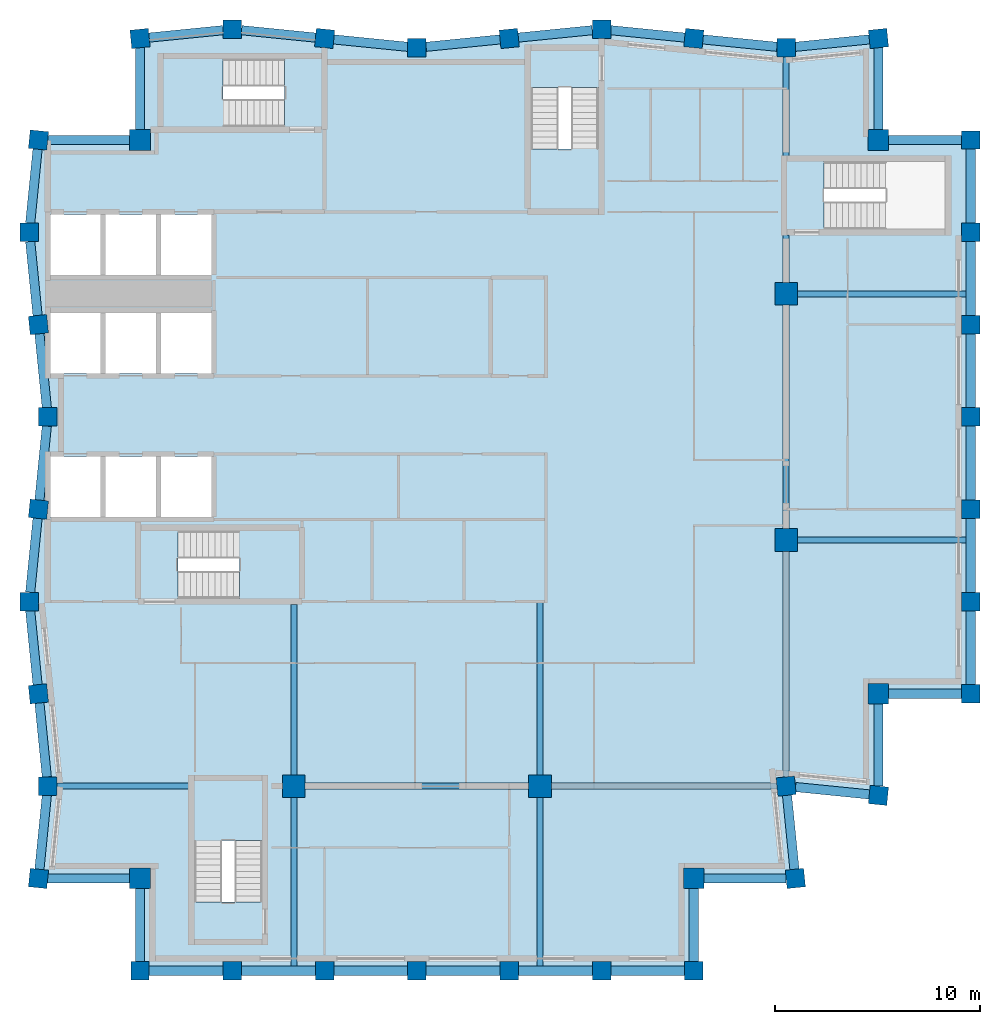
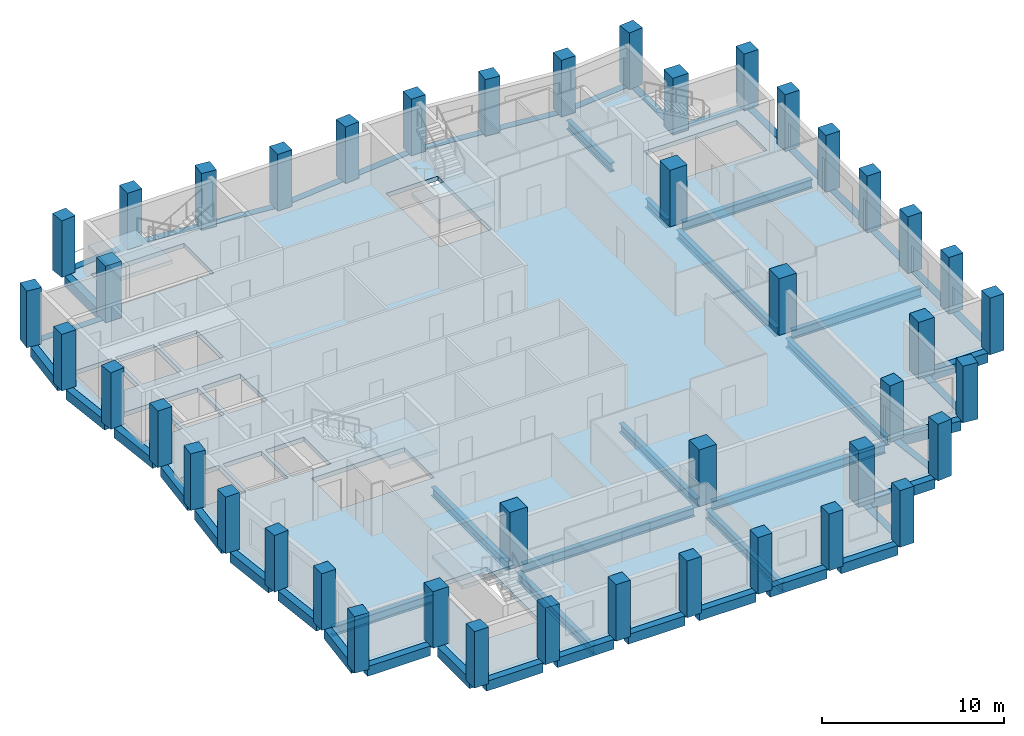
# One storey, part 1 of 7: 53 beams, 44 columns, 5 slabs, 4 elements without a shape of their own.
"""IFC4 building model written with IfcOpenShell, lengths in metres."""

from ifc_helpers import new_model, si_unit, direction, frame, origin, origin_2d, place, context, subcontext, project, spatial, polyline, rectangle, i_section, outline, extrude, material, layer, layer_set, material_profile, profile_set, type_object, element, aggregate, save


model = new_model("IFC4")

# Units and contexts
model_context = context("Model", 3, precision=1e-05, world=origin(), true_north=direction((0.0, 1.0)))
body_context = subcontext(model_context, "Body", "Model", "MODEL_VIEW")
ifc_project = project(units=[si_unit("LENGTHUNIT", "METRE"), si_unit("AREAUNIT", "SQUARE_METRE"), si_unit("VOLUMEUNIT", "CUBIC_METRE"), si_unit("PLANEANGLEUNIT", "RADIAN"), si_unit("MASSUNIT", "GRAM", prefix="KILO")], contexts=[model_context])

# Site, building, storey
site_placement = place(None, origin())
site = spatial("IfcSite", under=ifc_project, at=site_placement, CompositionType="ELEMENT")
building_placement = place(site_placement, origin())
building = spatial("IfcBuilding", under=site, at=building_placement, Name="Brondeck Convention Tower", CompositionType="ELEMENT")
storey_placement = place(building_placement, frame((0.0, 0.0, 263.800048828125)))
storey = spatial("IfcBuildingStorey", under=building, at=storey_placement, Name="L65", CompositionType="ELEMENT", Elevation=263.800048828125)

# Columns
ifc_material_1 = material(Name="Concrete C50/60", Category="concrete")
ifc_material_profile_1 = material_profile(ifc_material_1, rectangle(XDim=1.0, YDim=1.0, at=origin_2d()), Name="Corner column 1000x1000 Concrete C50/60")
ifc_profile_set_1 = profile_set([ifc_material_profile_1], Name="Concrete C50/60")
column_type_1 = type_object("IfcColumnType", Name="Corner column 1000x1000 Concrete C50/60", PredefinedType="COLUMN", material=ifc_profile_set_1)
for number, where, z_axis, x_axis, name in (
    (1, (4.5, 22.5, 0.0), (0.0, 0.0, 1.0), (1.0, 0.0, 0.0), "STR-COL-L65-NC-SWB18"),
    (2, (31.5, 22.5, 0.0), (0.0, 0.0, 1.0), (1.0, 0.0, 0.0), "STR-COL-L65-NC-SEB18"),
    (3, (40.5, 31.5, 0.0), (0.0, 0.0, 1.0), (1.0, 0.0, 0.0), "STR-COL-L65-NC-SEA45"),
    (4, (40.5, 58.5, 0.0), (0.0, 0.0, 1.0), (1.0, 0.0, 0.0), "STR-COL-L65-NC-NEA45"),
    (5, (4.5, 58.5, 0.0), (0.0, 0.0, 1.0), (1.0, 0.0, 0.0), "STR-COL-L65-NC-NW"),
):
    element("IfcColumn", number, at=place(storey_placement, frame(where, z_axis=z_axis, x_axis=x_axis)), inside=storey, type_object=column_type_1, Name=name, PredefinedType="COLUMN", context=body_context, shape_type="SweptSolid", body=[
        extrude(rectangle(XDim=1.0, YDim=1.0, at=origin_2d()), origin(), (0.0, 0.0, 1.0), 3.800048828125),
    ])
ifc_material_profile_2 = material_profile(ifc_material_1, rectangle(XDim=1.10009765625, YDim=1.10009765625, at=origin_2d()), Name="Interior column 1100x1100 Concrete C50/60")
ifc_profile_set_2 = profile_set([ifc_material_profile_2], Name="Concrete C50/60")
column_type_2 = type_object("IfcColumnType", Name="Interior column 1100x1100 Concrete C50/60", PredefinedType="COLUMN", material=ifc_profile_set_2)
for number, where, z_axis, x_axis, name in (
    (6, (12.0, 27.0, 0.0), (0.0, 0.0, 1.0), (1.0, 0.0, 0.0), "STR-COL-L65-IC-03"),
    (7, (24.0, 27.0, 0.0), (0.0, 0.0, 1.0), (1.0, 0.0, 0.0), "STR-COL-L65-IC-06"),
    (8, (36.0, 39.0, 0.0), (0.0, 0.0, 1.0), (1.0, 0.0, 0.0), "STR-COL-L65-IC-07"),
    (9, (36.0, 51.0, 0.0), (0.0, 0.0, 1.0), (1.0, 0.0, 0.0), "STR-COL-L65-IC-08"),
):
    element("IfcColumn", number, at=place(storey_placement, frame(where, z_axis=z_axis, x_axis=x_axis)), inside=storey, type_object=column_type_2, Name=name, PredefinedType="COLUMN", context=body_context, shape_type="SweptSolid", body=[
        extrude(rectangle(XDim=1.10009765625, YDim=1.10009765625, at=origin_2d()), origin(), (0.0, 0.0, 1.0), 3.800048828125),
    ])
ifc_material_profile_3 = material_profile(ifc_material_1, rectangle(XDim=0.89990234375, YDim=0.89990234375, at=origin_2d()), Name="Perimeter pier 900x900 Concrete C50/60")
ifc_profile_set_3 = profile_set([ifc_material_profile_3], Name="Concrete C50/60")
column_type_3 = type_object("IfcColumnType", Name="Perimeter pier 900x900 Concrete C50/60", PredefinedType="COLUMN", material=ifc_profile_set_3)
for number, where, z_axis, x_axis, name in (
    (10, (4.5, 18.0, 0.0), (0.0, 0.0, 1.0), (1.0, 0.0, 0.0), "STR-COL-L65-PC-B-S18-01"),
    (11, (9.0, 18.0, 0.0), (0.0, 0.0, 1.0), (1.0, 0.0, 0.0), "STR-COL-L65-PC-B-S18-02"),
    (12, (13.5, 18.0, 0.0), (0.0, 0.0, 1.0), (1.0, 0.0, 0.0), "STR-COL-L65-PC-B-S18-03"),
    (13, (18.0, 18.0, 0.0), (0.0, 0.0, 1.0), (1.0, 0.0, 0.0), "STR-COL-L65-PC-B-S18-04"),
    (14, (22.5, 18.0, 0.0), (0.0, 0.0, 1.0), (1.0, 0.0, 0.0), "STR-COL-L65-PC-B-S18-05"),
    (15, (27.0, 18.0, 0.0), (0.0, 0.0, 1.0), (1.0, 0.0, 0.0), "STR-COL-L65-PC-B-S18-06"),
    (16, (31.5, 18.0, 0.0), (0.0, 0.0, 1.0), (1.0, 0.0, 0.0), "STR-COL-L65-PC-B-S18-07"),
    (17, (36.449951171875, 22.5, 0.0), (0.0, 0.0, 1.0), (-0.0995038382, 0.995037178292, 0.0), "STR-COL-L65-PC-B-E-01"),
    (18, (36.0, 27.0, 0.0), (0.0, 0.0, 1.0), (-0.0995038382, 0.995037178292, 0.0), "STR-COL-L65-PC-B-E-00"),
    (19, (40.5, 26.550048828125, 0.0), (0.0, 0.0, 1.0), (0.995037178292, -0.0995038382, 0.0), "STR-COL-L65-PC-A-S-01"),
    (20, (45.0, 31.5, 0.0), (0.0, 0.0, 1.0), (0.0, 1.0, 0.0), "STR-COL-L65-PC-A-E45-01"),
    (21, (45.0, 36.0, 0.0), (0.0, 0.0, 1.0), (0.0, 1.0, 0.0), "STR-COL-L65-PC-A-E45-02"),
    (22, (45.0, 40.5, 0.0), (0.0, 0.0, 1.0), (0.0, 1.0, 0.0), "STR-COL-L65-PC-A-E45-03"),
    (23, (45.0, 45.0, 0.0), (0.0, 0.0, 1.0), (0.0, 1.0, 0.0), "STR-COL-L65-PC-A-E45-04"),
    (24, (45.0, 49.5, 0.0), (0.0, 0.0, 1.0), (0.0, 1.0, 0.0), "STR-COL-L65-PC-A-E45-05"),
    (25, (45.0, 54.0, 0.0), (0.0, 0.0, 1.0), (0.0, 1.0, 0.0), "STR-COL-L65-PC-A-E45-06"),
    (26, (45.0, 58.5, 0.0), (0.0, 0.0, 1.0), (0.0, 1.0, 0.0), "STR-COL-L65-PC-A-E45-07"),
    (27, (40.5, 63.449951171875, 0.0), (0.0, 0.0, 1.0), (-0.995037178292, -0.0995038382, 0.0), "STR-COL-L65-PC-A-N-09"),
    (28, (36.0, 63.0, 0.0), (0.0, 0.0, 1.0), (-1.0, 0.0, 0.0), "STR-COL-L65-PC-A-N-08"),
    (29, (31.5, 63.449951171875, 0.0), (0.0, 0.0, 1.0), (-0.995037178292, 0.0995038382, 0.0), "STR-COL-L65-PC-A-N-07"),
    (30, (27.0, 63.89990234375, 0.0), (0.0, 0.0, 1.0), (-1.0, 0.0, 0.0), "STR-COL-L65-PC-A-N-06"),
    (31, (22.5, 63.449951171875, 0.0), (0.0, 0.0, 1.0), (-0.995037178292, -0.0995038382, 0.0), "STR-COL-L65-PC-A-N-05"),
    (32, (18.0, 63.0, 0.0), (0.0, 0.0, 1.0), (-1.0, 0.0, 0.0), "STR-COL-L65-PC-A-N-04"),
    (33, (13.5, 63.449951171875, 0.0), (0.0, 0.0, 1.0), (-0.995037178292, 0.0995038382, 0.0), "STR-COL-L65-PC-A-N-03"),
    (34, (9.0, 63.89990234375, 0.0), (0.0, 0.0, 1.0), (-1.0, 0.0, 0.0), "STR-COL-L65-PC-A-N-02"),
    (35, (4.5, 63.449951171875, 0.0), (0.0, 0.0, 1.0), (-0.995037178292, -0.0995038382, 0.0), "STR-COL-L65-PC-A-N-01"),
    (36, (-0.449951171875, 58.5, 0.0), (0.0, 0.0, 1.0), (-0.0995038382, -0.995037178292, 0.0), "STR-COL-L65-PC-B-W-01"),
    (37, (-0.89990234375, 54.0, 0.0), (0.0, 0.0, 1.0), (0.0, -1.0, 0.0), "STR-COL-L65-PC-B-W-02"),
    (38, (-0.449951171875, 49.5, 0.0), (0.0, 0.0, 1.0), (0.0995038382, -0.995037178292, 0.0), "STR-COL-L65-PC-B-W-03"),
    (39, (0.0, 45.0, 0.0), (0.0, 0.0, 1.0), (0.0, -1.0, 0.0), "STR-COL-L65-PC-B-W-04"),
    (40, (-0.449951171875, 40.5, 0.0), (0.0, 0.0, 1.0), (-0.0995038382, -0.995037178292, 0.0), "STR-COL-L65-PC-B-W-05"),
    (41, (-0.89990234375, 36.0, 0.0), (0.0, 0.0, 1.0), (0.0, -1.0, 0.0), "STR-COL-L65-PC-B-W-06"),
    (42, (-0.449951171875, 31.5, 0.0), (0.0, 0.0, 1.0), (0.0995038382, -0.995037178292, 0.0), "STR-COL-L65-PC-B-W-07"),
    (43, (0.0, 27.0, 0.0), (0.0, 0.0, 1.0), (0.0, -1.0, 0.0), "STR-COL-L65-PC-B-W-08"),
    (44, (-0.449951171875, 22.5, 0.0), (0.0, 0.0, 1.0), (-0.0995038382, -0.995037178292, 0.0), "STR-COL-L65-PC-B-W-09"),
):
    element("IfcColumn", number, at=place(storey_placement, frame(where, z_axis=z_axis, x_axis=x_axis)), inside=storey, type_object=column_type_3, Name=name, PredefinedType="COLUMN", context=body_context, shape_type="SweptSolid", body=[
        extrude(rectangle(XDim=0.89990234375, YDim=0.89990234375, at=origin_2d()), origin(), (0.0, 0.0, 1.0), 3.800048828125),
    ])

# Beams
ifc_material_2 = material(Name="Steel S355", Category="steel")
ifc_material_profile_4 = material_profile(ifc_material_2, i_section(OverallWidth=0.300048828125, OverallDepth=0.60009765625, WebThickness=0.015380859375, FlangeThickness=0.030029296875, FilletRadius=0.027099609375, at=origin_2d()), Name="HEB 600")
ifc_profile_set_4 = profile_set([ifc_material_profile_4], Name="Steel S355")
beam_type_1 = type_object("IfcBeamType", Name="Girder HEB 600", PredefinedType="BEAM", material=ifc_profile_set_4)
for number, where, z_axis, x_axis, name in (
    (45, (36.550048828125, 39.0, -0.60009765625), (1.0, 0.0, 0.0), (0.0, 1.0, 0.0), "STR-GR-L65-001"),
    (46, (36.550048828125, 51.0, -0.60009765625), (1.0, 0.0, 0.0), (0.0, 1.0, 0.0), "STR-GR-L65-002"),
):
    element("IfcBeam", number, at=place(storey_placement, frame(where, z_axis=z_axis, x_axis=x_axis)), inside=storey, type_object=beam_type_1, Name=name, PredefinedType="BEAM", context=body_context, shape_type="SweptSolid", body=[
        extrude(i_section(OverallWidth=0.300048828125, OverallDepth=0.60009765625, WebThickness=0.015380859375, FlangeThickness=0.030029296875, FilletRadius=0.027099609375, at=origin_2d()), origin(), (0.0, 0.0, 1.0), 8.224853515625),
    ])
beam_1_placement = place(storey_placement, frame((36.0, 27.4521484375, -0.60009765625), z_axis=(0.0, 1.0, 0.0), x_axis=(-1.0, 0.0, 0.0)))
element("IfcBeam", 47, at=beam_1_placement, inside=storey, type_object=beam_type_1, Name="STR-GR-L65-003", PredefinedType="BEAM", context=body_context, shape_type="SweptSolid", body=[
    extrude(i_section(OverallWidth=0.300048828125, OverallDepth=0.60009765625, WebThickness=0.015380859375, FlangeThickness=0.030029296875, FilletRadius=0.027099609375, at=origin_2d()), origin(), (0.0, 0.0, 1.0), 10.997802734375),
])
beam_2_placement = place(storey_placement, frame((36.0, 39.550048828125, -0.60009765625), z_axis=(0.0, 1.0, 0.0), x_axis=(-1.0, 0.0, 0.0)))
element("IfcBeam", 48, at=beam_2_placement, inside=storey, type_object=beam_type_1, Name="STR-GR-L65-004", PredefinedType="BEAM", context=body_context, shape_type="SweptSolid", body=[
    extrude(i_section(OverallWidth=0.300048828125, OverallDepth=0.60009765625, WebThickness=0.015380859375, FlangeThickness=0.030029296875, FilletRadius=0.027099609375, at=origin_2d()), origin(), (0.0, 0.0, 1.0), 10.89990234375),
])
beam_3_placement = place(storey_placement, frame((36.0, 51.550048828125, -0.60009765625), z_axis=(0.0, 1.0, 0.0), x_axis=(-1.0, 0.0, 0.0)))
element("IfcBeam", 49, at=beam_3_placement, inside=storey, type_object=beam_type_1, Name="STR-GR-L65-005", PredefinedType="BEAM", context=body_context, shape_type="SweptSolid", body=[
    extrude(i_section(OverallWidth=0.300048828125, OverallDepth=0.60009765625, WebThickness=0.015380859375, FlangeThickness=0.030029296875, FilletRadius=0.027099609375, at=origin_2d()), origin(), (0.0, 0.0, 1.0), 2.329833984375),
])
beam_4_placement = place(storey_placement, frame((36.0, 57.719970703125, -0.60009765625), z_axis=(0.0, 1.0, 0.0), x_axis=(-1.0, 0.0, 0.0)))
element("IfcBeam", 50, at=beam_4_placement, inside=storey, type_object=beam_type_1, Name="STR-GR-L65-006", PredefinedType="BEAM", context=body_context, shape_type="SweptSolid", body=[
    extrude(i_section(OverallWidth=0.300048828125, OverallDepth=0.60009765625, WebThickness=0.015380859375, FlangeThickness=0.030029296875, FilletRadius=0.027099609375, at=origin_2d()), origin(), (0.0, 0.0, 1.0), 4.830078125),
])
beam_5_placement = place(storey_placement, frame((12.0, 35.85009765625, -0.60009765625), z_axis=(0.0, -1.0, 0.0), x_axis=(1.0, 0.0, 0.0)))
element("IfcBeam", 51, at=beam_5_placement, inside=storey, type_object=beam_type_1, Name="STR-GR-L65-007", PredefinedType="BEAM", context=body_context, shape_type="SweptSolid", body=[
    extrude(i_section(OverallWidth=0.300048828125, OverallDepth=0.60009765625, WebThickness=0.015380859375, FlangeThickness=0.030029296875, FilletRadius=0.027099609375, at=origin_2d()), origin(), (0.0, 0.0, 1.0), 8.300048828125),
])
beam_6_placement = place(storey_placement, frame((12.0, 26.449951171875, -0.60009765625), z_axis=(0.0, -1.0, 0.0), x_axis=(1.0, 0.0, 0.0)))
element("IfcBeam", 52, at=beam_6_placement, inside=storey, type_object=beam_type_1, Name="STR-GR-L65-008", PredefinedType="BEAM", context=body_context, shape_type="SweptSolid", body=[
    extrude(i_section(OverallWidth=0.300048828125, OverallDepth=0.60009765625, WebThickness=0.015380859375, FlangeThickness=0.030029296875, FilletRadius=0.027099609375, at=origin_2d()), origin(), (0.0, 0.0, 1.0), 8.224853515625),
])
beam_7_placement = place(storey_placement, frame((24.0, 35.955078125, -0.60009765625), z_axis=(0.0, -1.0, 0.0), x_axis=(1.0, 0.0, 0.0)))
element("IfcBeam", 53, at=beam_7_placement, inside=storey, type_object=beam_type_1, Name="STR-GR-L65-009", PredefinedType="BEAM", context=body_context, shape_type="SweptSolid", body=[
    extrude(i_section(OverallWidth=0.300048828125, OverallDepth=0.60009765625, WebThickness=0.015380859375, FlangeThickness=0.030029296875, FilletRadius=0.027099609375, at=origin_2d()), origin(), (0.0, 0.0, 1.0), 8.405029296875),
])
beam_8_placement = place(storey_placement, frame((24.0, 26.449951171875, -0.60009765625), z_axis=(0.0, -1.0, 0.0), x_axis=(1.0, 0.0, 0.0)))
element("IfcBeam", 54, at=beam_8_placement, inside=storey, type_object=beam_type_1, Name="STR-GR-L65-010", PredefinedType="BEAM", context=body_context, shape_type="SweptSolid", body=[
    extrude(i_section(OverallWidth=0.300048828125, OverallDepth=0.60009765625, WebThickness=0.015380859375, FlangeThickness=0.030029296875, FilletRadius=0.027099609375, at=origin_2d()), origin(), (0.0, 0.0, 1.0), 8.224853515625),
])
beam_9_placement = place(storey_placement, frame((0.449951171875, 27.0, -0.60009765625), z_axis=(1.0, 0.0, 0.0), x_axis=(0.0, 1.0, 0.0)))
element("IfcBeam", 55, at=beam_9_placement, inside=storey, type_object=beam_type_1, Name="STR-GR-L65-011", PredefinedType="BEAM", context=body_context, shape_type="SweptSolid", body=[
    extrude(i_section(OverallWidth=0.300048828125, OverallDepth=0.60009765625, WebThickness=0.015380859375, FlangeThickness=0.030029296875, FilletRadius=0.027099609375, at=origin_2d()), origin(), (0.0, 0.0, 1.0), 6.429931640625),
])
beam_10_placement = place(storey_placement, frame((12.550048828125, 27.0, -0.60009765625), z_axis=(1.0, 0.0, 0.0), x_axis=(0.0, 1.0, 0.0)))
element("IfcBeam", 56, at=beam_10_placement, inside=storey, type_object=beam_type_1, Name="STR-GR-L65-012", PredefinedType="BEAM", context=body_context, shape_type="SweptSolid", body=[
    extrude(i_section(OverallWidth=0.300048828125, OverallDepth=0.60009765625, WebThickness=0.015380859375, FlangeThickness=0.030029296875, FilletRadius=0.027099609375, at=origin_2d()), origin(), (0.0, 0.0, 1.0), 10.89990234375),
])
beam_11_placement = place(storey_placement, frame((24.550048828125, 27.0, -0.60009765625), z_axis=(1.0, 0.0, 0.0), x_axis=(0.0, 1.0, 0.0)))
element("IfcBeam", 57, at=beam_11_placement, inside=storey, type_object=beam_type_1, Name="STR-GR-L65-013", PredefinedType="BEAM", context=body_context, shape_type="SweptSolid", body=[
    extrude(i_section(OverallWidth=0.300048828125, OverallDepth=0.60009765625, WebThickness=0.015380859375, FlangeThickness=0.030029296875, FilletRadius=0.027099609375, at=origin_2d()), origin(), (0.0, 0.0, 1.0), 10.997802734375),
])
ifc_material_profile_5 = material_profile(ifc_material_1, rectangle(XDim=0.449951171875, YDim=0.64990234375, at=origin_2d()), Name="Precast spandrel 450x650 Concrete C50/60")
ifc_profile_set_5 = profile_set([ifc_material_profile_5], Name="Concrete C50/60")
beam_type_2 = type_object("IfcBeamType", Name="Precast spandrel 450x650 Concrete C50/60", PredefinedType="SPANDREL", material=ifc_profile_set_5)
for number, where, z_axis, x_axis, name in (
    (58, (4.949951171875, 18.0, -0.324951171875), (1.0, 0.0, 0.0), (0.0, 1.0, 0.0), "STR-SP-L65-001"),
    (59, (9.449951171875, 18.0, -0.324951171875), (1.0, 0.0, 0.0), (0.0, 1.0, 0.0), "STR-SP-L65-002"),
    (60, (13.949951171875, 18.0, -0.324951171875), (1.0, 0.0, 0.0), (0.0, 1.0, 0.0), "STR-SP-L65-003"),
    (61, (18.449951171875, 18.0, -0.324951171875), (1.0, 0.0, 0.0), (0.0, 1.0, 0.0), "STR-SP-L65-004"),
    (62, (22.949951171875, 18.0, -0.324951171875), (1.0, 0.0, 0.0), (0.0, 1.0, 0.0), "STR-SP-L65-005"),
    (63, (27.449951171875, 18.0, -0.324951171875), (1.0, 0.0, 0.0), (0.0, 1.0, 0.0), "STR-SP-L65-006"),
):
    element("IfcBeam", number, at=place(storey_placement, frame(where, z_axis=z_axis, x_axis=x_axis)), inside=storey, type_object=beam_type_2, Name=name, PredefinedType="SPANDREL", context=body_context, shape_type="SweptSolid", body=[
        extrude(rectangle(XDim=0.449951171875, YDim=0.64990234375, at=origin_2d()), origin(), (0.0, 0.0, 1.0), 3.60009765625),
    ])
beam_12_placement = place(storey_placement, frame((31.5, 18.449951171875, -0.324951171875), z_axis=(0.0, 1.0, 0.0), x_axis=(-1.0, 0.0, 0.0)))
element("IfcBeam", 64, at=beam_12_placement, inside=storey, type_object=beam_type_2, Name="STR-SP-L65-007", PredefinedType="SPANDREL", context=body_context, shape_type="SweptSolid", body=[
    extrude(rectangle(XDim=0.449951171875, YDim=0.64990234375, at=origin_2d()), origin(), (0.0, 0.0, 1.0), 3.550048828125),
])
beam_13_placement = place(storey_placement, frame((32.0, 22.5, -0.324951171875), z_axis=(1.0, 0.0, 0.0), x_axis=(0.0, 1.0, 0.0)))
element("IfcBeam", 65, at=beam_13_placement, inside=storey, type_object=beam_type_2, Name="STR-SP-L65-008", PredefinedType="SPANDREL", context=body_context, shape_type="SweptSolid", body=[
    extrude(rectangle(XDim=0.449951171875, YDim=0.64990234375, at=origin_2d()), origin(), (0.0, 0.0, 1.0), 3.997802734375),
])
beam_14_placement = place(storey_placement, frame((36.4052734375, 22.94775390625, -0.324951171875), z_axis=(-0.099543756114, 0.995033185687, 0.0), x_axis=(-0.995033185687, -0.099543756114, 0.0)))
element("IfcBeam", 66, at=beam_14_placement, inside=storey, type_object=beam_type_2, Name="STR-SP-L65-009", PredefinedType="SPANDREL", context=body_context, shape_type="SweptSolid", body=[
    extrude(rectangle(XDim=0.449951171875, YDim=0.64990234375, at=origin_2d()), origin(), (0.0, 0.0, 1.0), 3.62255859375),
])
beam_15_placement = place(storey_placement, frame((36.456787109375, 26.954345703125, -0.324951171875), z_axis=(0.995035183115, -0.099523787922, 0.0), x_axis=(0.099523787922, 0.995035183115, 0.0)))
element("IfcBeam", 67, at=beam_15_placement, inside=storey, type_object=beam_type_2, Name="STR-SP-L65-010", PredefinedType="SPANDREL", context=body_context, shape_type="SweptSolid", body=[
    extrude(rectangle(XDim=0.449951171875, YDim=0.64990234375, at=origin_2d()), origin(), (0.0, 0.0, 1.0), 3.61328125),
])
beam_16_placement = place(storey_placement, frame((40.5, 27.002197265625, -0.324951171875), z_axis=(0.0, 1.0, 0.0), x_axis=(-1.0, 0.0, 0.0)))
element("IfcBeam", 68, at=beam_16_placement, inside=storey, type_object=beam_type_2, Name="STR-SP-L65-011", PredefinedType="SPANDREL", context=body_context, shape_type="SweptSolid", body=[
    extrude(rectangle(XDim=0.449951171875, YDim=0.64990234375, at=origin_2d()), origin(), (0.0, 0.0, 1.0), 3.997802734375),
])
beam_17_placement = place(storey_placement, frame((41.0, 31.5, -0.324951171875), z_axis=(1.0, 0.0, 0.0), x_axis=(0.0, 1.0, 0.0)))
element("IfcBeam", 69, at=beam_17_placement, inside=storey, type_object=beam_type_2, Name="STR-SP-L65-012", PredefinedType="SPANDREL", context=body_context, shape_type="SweptSolid", body=[
    extrude(rectangle(XDim=0.449951171875, YDim=0.64990234375, at=origin_2d()), origin(), (0.0, 0.0, 1.0), 3.550048828125),
])
for number, where, z_axis, x_axis, name in (
    (70, (45.0, 31.949951171875, -0.324951171875), (0.0, 1.0, 0.0), (-1.0, 0.0, 0.0), "STR-SP-L65-013"),
    (71, (45.0, 36.449951171875, -0.324951171875), (0.0, 1.0, 0.0), (-1.0, 0.0, 0.0), "STR-SP-L65-014"),
    (72, (45.0, 40.949951171875, -0.324951171875), (0.0, 1.0, 0.0), (-1.0, 0.0, 0.0), "STR-SP-L65-015"),
    (73, (45.0, 45.449951171875, -0.324951171875), (0.0, 1.0, 0.0), (-1.0, 0.0, 0.0), "STR-SP-L65-016"),
    (74, (45.0, 49.949951171875, -0.324951171875), (0.0, 1.0, 0.0), (-1.0, 0.0, 0.0), "STR-SP-L65-017"),
    (75, (45.0, 54.449951171875, -0.324951171875), (0.0, 1.0, 0.0), (-1.0, 0.0, 0.0), "STR-SP-L65-018"),
):
    element("IfcBeam", number, at=place(storey_placement, frame(where, z_axis=z_axis, x_axis=x_axis)), inside=storey, type_object=beam_type_2, Name=name, PredefinedType="SPANDREL", context=body_context, shape_type="SweptSolid", body=[
        extrude(rectangle(XDim=0.449951171875, YDim=0.64990234375, at=origin_2d()), origin(), (0.0, 0.0, 1.0), 3.60009765625),
    ])
beam_18_placement = place(storey_placement, frame((44.550048828125, 58.5, -0.324951171875), z_axis=(-1.0, 0.0, 0.0), x_axis=(0.0, -1.0, 0.0)))
element("IfcBeam", 76, at=beam_18_placement, inside=storey, type_object=beam_type_2, Name="STR-SP-L65-019", PredefinedType="SPANDREL", context=body_context, shape_type="SweptSolid", body=[
    extrude(rectangle(XDim=0.449951171875, YDim=0.64990234375, at=origin_2d()), origin(), (0.0, 0.0, 1.0), 3.550048828125),
])
beam_19_placement = place(storey_placement, frame((40.5, 59.0, -0.324951171875), z_axis=(0.0, 1.0, 0.0), x_axis=(-1.0, 0.0, 0.0)))
element("IfcBeam", 77, at=beam_19_placement, inside=storey, type_object=beam_type_2, Name="STR-SP-L65-020", PredefinedType="SPANDREL", context=body_context, shape_type="SweptSolid", body=[
    extrude(rectangle(XDim=0.449951171875, YDim=0.64990234375, at=origin_2d()), origin(), (0.0, 0.0, 1.0), 3.997802734375),
])
for number, where, z_axis, x_axis, name in (
    (78, (40.05224609375, 63.4052734375, -0.324951171875), (-0.995033851182, -0.099537103649, 0.0), (0.099537103649, -0.995033851182, 0.0), "STR-SP-L65-021"),
    (79, (35.550048828125, 63.044921875, -0.324951171875), (-0.995033851182, 0.099537103649, 0.0), (-0.099537103649, -0.995033851182, 0.0), "STR-SP-L65-022"),
    (80, (31.05224609375, 63.494873046875, -0.324951171875), (-0.995040528141, 0.099470334057, 0.0), (-0.099470334057, -0.995040528141, 0.0), "STR-SP-L65-023"),
    (81, (26.550048828125, 63.85498046875, -0.324951171875), (-0.995040528141, -0.099470334057, 0.0), (0.099470334057, -0.995040528141, 0.0), "STR-SP-L65-024"),
    (82, (22.05224609375, 63.4052734375, -0.324951171875), (-0.995033851182, -0.099537103649, 0.0), (0.099537103649, -0.995033851182, 0.0), "STR-SP-L65-025"),
    (83, (17.550048828125, 63.044921875, -0.324951171875), (-0.995033851182, 0.099537103649, 0.0), (-0.099537103649, -0.995033851182, 0.0), "STR-SP-L65-026"),
    (84, (13.05224609375, 63.494873046875, -0.324951171875), (-0.995040528141, 0.099470334057, 0.0), (-0.099470334057, -0.995040528141, 0.0), "STR-SP-L65-027"),
    (85, (8.550048828125, 63.85498046875, -0.324951171875), (-0.995040528141, -0.099470334057, 0.0), (0.099470334057, -0.995040528141, 0.0), "STR-SP-L65-028"),
):
    element("IfcBeam", number, at=place(storey_placement, frame(where, z_axis=z_axis, x_axis=x_axis)), inside=storey, type_object=beam_type_2, Name=name, PredefinedType="SPANDREL", context=body_context, shape_type="SweptSolid", body=[
        extrude(rectangle(XDim=0.449951171875, YDim=0.64990234375, at=origin_2d()), origin(), (0.0, 0.0, 1.0), 3.620361328125),
    ])
for number, where, z_axis, x_axis, name in (
    (86, (4.5, 62.997802734375, -0.324951171875), (0.0, -1.0, 0.0), (1.0, 0.0, 0.0), "STR-SP-L65-029"),
    (87, (4.0, 58.5, -0.324951171875), (-1.0, 0.0, 0.0), (0.0, -1.0, 0.0), "STR-SP-L65-030"),
):
    element("IfcBeam", number, at=place(storey_placement, frame(where, z_axis=z_axis, x_axis=x_axis)), inside=storey, type_object=beam_type_2, Name=name, PredefinedType="SPANDREL", context=body_context, shape_type="SweptSolid", body=[
        extrude(rectangle(XDim=0.449951171875, YDim=0.64990234375, at=origin_2d()), origin(), (0.0, 0.0, 1.0), 3.997802734375),
    ])
for number, where, z_axis, x_axis, name in (
    (88, (-0.494873046875, 58.05224609375, -0.324951171875), (-0.099470334057, -0.995040528141, 0.0), (0.995040528141, -0.099470334057, 0.0), "STR-SP-L65-031"),
    (89, (-0.85498046875, 53.550048828125, -0.324951171875), (0.099470334057, -0.995040528141, 0.0), (0.995040528141, 0.099470334057, 0.0), "STR-SP-L65-032"),
    (90, (-0.4052734375, 49.05224609375, -0.324951171875), (0.099537103649, -0.995033851182, 0.0), (0.995033851182, 0.099537103649, 0.0), "STR-SP-L65-033"),
    (91, (-0.044921875, 44.550048828125, -0.324951171875), (-0.099537103649, -0.995033851182, 0.0), (0.995033851182, -0.099537103649, 0.0), "STR-SP-L65-034"),
    (92, (-0.494873046875, 40.05224609375, -0.324951171875), (-0.099470334057, -0.995040528141, 0.0), (0.995040528141, -0.099470334057, 0.0), "STR-SP-L65-035"),
    (93, (-0.85498046875, 35.550048828125, -0.324951171875), (0.099470334057, -0.995040528141, 0.0), (0.995040528141, 0.099470334057, 0.0), "STR-SP-L65-036"),
    (94, (-0.4052734375, 31.05224609375, -0.324951171875), (0.099537103649, -0.995033851182, 0.0), (0.995033851182, 0.099537103649, 0.0), "STR-SP-L65-037"),
    (95, (-0.044921875, 26.550048828125, -0.324951171875), (-0.099537103649, -0.995033851182, 0.0), (0.995033851182, -0.099537103649, 0.0), "STR-SP-L65-038"),
):
    element("IfcBeam", number, at=place(storey_placement, frame(where, z_axis=z_axis, x_axis=x_axis)), inside=storey, type_object=beam_type_2, Name=name, PredefinedType="SPANDREL", context=body_context, shape_type="SweptSolid", body=[
        extrude(rectangle(XDim=0.449951171875, YDim=0.64990234375, at=origin_2d()), origin(), (0.0, 0.0, 1.0), 3.620361328125),
    ])
beam_20_placement = place(storey_placement, frame((0.002197265625, 22.5, -0.324951171875), z_axis=(1.0, 0.0, 0.0), x_axis=(0.0, 1.0, 0.0)))
element("IfcBeam", 96, at=beam_20_placement, inside=storey, type_object=beam_type_2, Name="STR-SP-L65-039", PredefinedType="SPANDREL", context=body_context, shape_type="SweptSolid", body=[
    extrude(rectangle(XDim=0.449951171875, YDim=0.64990234375, at=origin_2d()), origin(), (0.0, 0.0, 1.0), 3.997802734375),
])
beam_21_placement = place(storey_placement, frame((4.5, 22.0, -0.324951171875), z_axis=(0.0, -1.0, 0.0), x_axis=(1.0, 0.0, 0.0)))
element("IfcBeam", 97, at=beam_21_placement, inside=storey, type_object=beam_type_2, Name="STR-SP-L65-040", PredefinedType="SPANDREL", context=body_context, shape_type="SweptSolid", body=[
    extrude(rectangle(XDim=0.449951171875, YDim=0.64990234375, at=origin_2d()), origin(), (0.0, 0.0, 1.0), 3.550048828125),
])

# Slab
ifc_material_3 = material(Name="Concrete C35/45", Category="concrete")
ifc_layer_1 = layer(ifc_material_3, 0.300048828125)
ifc_layer_set_1 = layer_set([ifc_layer_1], Name="Composite floor slab 300")
slab_type_1 = type_object("IfcSlabType", Name="Composite floor slab 300", PredefinedType="FLOOR", material=ifc_layer_set_1)
slab_1_placement = place(storey_placement, frame((0.0, 0.0, -0.300048828125)))
element("IfcSlab", 98, at=slab_1_placement, inside=storey, type_object=slab_type_1, Name="STR-SL-L65", PredefinedType="FLOOR", context=body_context, shape_type="SweptSolid", body=[
    extrude(outline(polyline([(4.5, 22.5), (-0.449951171875, 22.5), (0.0, 27.0), (-0.89990234375, 36.0), (0.0, 45.0), (-0.89990234375, 54.0), (-0.449951171875, 58.5), (4.5, 58.5), (4.5, 63.449951171875), (9.0, 63.89990234375), (18.0, 63.0), (27.0, 63.89990234375), (36.0, 63.0), (40.5, 63.449951171875), (40.5, 58.5), (45.0, 58.5), (45.0, 31.5), (40.5, 31.5), (40.5, 26.550048828125), (36.0, 27.0), (36.449951171875, 22.5), (31.5, 22.5), (31.5, 18.0), (4.5, 18.0), (4.5, 22.5)]), holes=[polyline([(2.574951171875, 43.074951171875), (0.125, 43.074951171875), (0.125, 40.125), (2.574951171875, 40.125), (2.574951171875, 43.074951171875)]), polyline([(5.27490234375, 40.125), (5.27490234375, 43.074951171875), (2.824951171875, 43.074951171875), (2.824951171875, 40.125), (5.27490234375, 40.125)]), polyline([(7.97509765625, 40.125), (7.97509765625, 43.074951171875), (5.52490234375, 43.074951171875), (5.52490234375, 40.125), (7.97509765625, 40.125)]), polyline([(2.574951171875, 47.125), (2.574951171875, 50.074951171875), (0.125, 50.074951171875), (0.125, 47.125), (2.574951171875, 47.125)]), polyline([(5.27490234375, 47.125), (5.27490234375, 50.074951171875), (2.824951171875, 50.074951171875), (2.824951171875, 47.125), (5.27490234375, 47.125)]), polyline([(2.574951171875, 51.925048828125), (2.574951171875, 54.875), (0.125, 54.875), (0.125, 51.925048828125), (2.574951171875, 51.925048828125)]), polyline([(5.27490234375, 51.925048828125), (5.27490234375, 54.875), (2.824951171875, 54.875), (2.824951171875, 51.925048828125), (5.27490234375, 51.925048828125)]), polyline([(7.152099609375, 27.248046875), (7.152099609375, 21.35205078125), (10.447998046875, 21.35205078125), (10.447998046875, 27.248046875), (7.152099609375, 27.248046875)]), polyline([(12.248046875, 36.152099609375), (12.248046875, 39.447998046875), (6.35205078125, 39.447998046875), (6.35205078125, 36.152099609375), (12.248046875, 36.152099609375)]), polyline([(7.97509765625, 47.125), (7.97509765625, 50.074951171875), (5.52490234375, 50.074951171875), (5.52490234375, 47.125), (7.97509765625, 47.125)]), polyline([(7.97509765625, 51.925048828125), (7.97509765625, 54.875), (5.52490234375, 54.875), (5.52490234375, 51.925048828125), (7.97509765625, 51.925048828125)]), polyline([(43.748046875, 54.152099609375), (43.748046875, 57.447998046875), (37.85205078125, 57.447998046875), (37.85205078125, 54.152099609375), (43.748046875, 54.152099609375)]), polyline([(23.552001953125, 55.152099609375), (26.847900390625, 55.152099609375), (26.847900390625, 61.048095703125), (23.552001953125, 61.048095703125), (23.552001953125, 55.152099609375)]), polyline([(5.652099609375, 62.447998046875), (5.652099609375, 59.152099609375), (11.548095703125, 59.152099609375), (11.548095703125, 62.447998046875), (5.652099609375, 62.447998046875)])]), origin(), (0.0, 0.0, 1.0), 0.300048828125),
])

# Stair, slab
ifc_material_4 = material(Name="Precast concrete C50/60", Category="concrete")
stair_type = type_object("IfcStairType", Name="Core stair 22 risers 172.73 mm riser 300 mm going 1350 wide", PredefinedType="HALF_TURN_STAIR", material=ifc_material_4)
stair_1_placement = place(storey_placement, origin())
stair_1 = element("IfcStair", 99, at=stair_1_placement, inside=storey, type_object=stair_type, Name="ST-1 L65 stair", PredefinedType="HALF_TURN_STAIR")
ifc_layer_2 = layer(ifc_material_4, 0.25)
ifc_layer_set_2 = layer_set([ifc_layer_2], Name="Core stair landing 250 Precast concrete C50/60")
slab_type_2 = type_object("IfcSlabType", Name="Core stair landing 250 Precast concrete C50/60", PredefinedType="LANDING", material=ifc_layer_set_2)
slab_2_placement = place(storey_placement, frame((0.0, 0.0, 1.64990234375)))
slab_2 = element("IfcSlab", 100, at=slab_2_placement, type_object=slab_type_2, Name="ST-1 landing 1", PredefinedType="LANDING", context=body_context, shape_type="SweptSolid", body=[
    extrude(outline(polyline([(9.347900390625, 37.5), (9.35009765625, 37.5), (9.35009765625, 38.10009765625), (9.050048828125, 38.10009765625), (9.050048828125, 39.570068359375), (12.3701171875, 39.570068359375), (12.3701171875, 36.030029296875), (9.347900390625, 36.030029296875), (9.347900390625, 37.5)])), origin(), (0.0, 0.0, 1.0), 0.25),
])
aggregate(stair_1, [slab_2])

stair_2_placement = place(storey_placement, origin())
stair_2 = element("IfcStair", 101, at=stair_2_placement, inside=storey, type_object=stair_type, Name="ST-2 L65 stair", PredefinedType="HALF_TURN_STAIR")
slab_3_placement = place(storey_placement, frame((0.0, 0.0, 1.64990234375)))
slab_3 = element("IfcSlab", 102, at=slab_3_placement, type_object=slab_type_2, Name="ST-2 landing 1", PredefinedType="LANDING", context=body_context, shape_type="SweptSolid", body=[
    extrude(outline(polyline([(23.429931640625, 58.052001953125), (24.89990234375, 58.052001953125), (24.89990234375, 58.050048828125), (25.5, 58.050048828125), (25.5, 58.35009765625), (26.969970703125, 58.35009765625), (26.969970703125, 55.030029296875), (23.429931640625, 55.030029296875), (23.429931640625, 58.052001953125)])), origin(), (0.0, 0.0, 1.0), 0.25),
])
aggregate(stair_2, [slab_3])

stair_3_placement = place(storey_placement, origin())
stair_3 = element("IfcStair", 103, at=stair_3_placement, inside=storey, type_object=stair_type, Name="ST-3 L65 stair", PredefinedType="HALF_TURN_STAIR")
slab_4_placement = place(storey_placement, frame((0.0, 0.0, 1.64990234375)))
slab_4 = element("IfcSlab", 104, at=slab_4_placement, type_object=slab_type_2, Name="ST-3 landing 1", PredefinedType="LANDING", context=body_context, shape_type="SweptSolid", body=[
    extrude(outline(polyline([(8.85009765625, 60.5), (8.85009765625, 59.030029296875), (5.530029296875, 59.030029296875), (5.530029296875, 62.570068359375), (8.552001953125, 62.570068359375), (8.552001953125, 61.10009765625), (8.550048828125, 61.10009765625), (8.550048828125, 60.5), (8.85009765625, 60.5)])), origin(), (0.0, 0.0, 1.0), 0.25),
])
aggregate(stair_3, [slab_4])

stair_4_placement = place(storey_placement, origin())
stair_4 = element("IfcStair", 105, at=stair_4_placement, inside=storey, type_object=stair_type, Name="ST-BE L65 stair", PredefinedType="HALF_TURN_STAIR")
slab_5_placement = place(storey_placement, frame((0.0, 0.0, 1.64990234375)))
slab_5 = element("IfcSlab", 106, at=slab_5_placement, type_object=slab_type_2, Name="ST-BE landing 1", PredefinedType="LANDING", context=body_context, shape_type="SweptSolid", body=[
    extrude(outline(polyline([(7.030029296875, 24.050048828125), (7.030029296875, 27.3701171875), (10.570068359375, 27.3701171875), (10.570068359375, 24.347900390625), (9.10009765625, 24.347900390625), (9.10009765625, 24.35009765625), (8.5, 24.35009765625), (8.5, 24.050048828125), (7.030029296875, 24.050048828125)])), origin(), (0.0, 0.0, 1.0), 0.25),
])
aggregate(stair_4, [slab_5])

save(model, "model.ifc")
